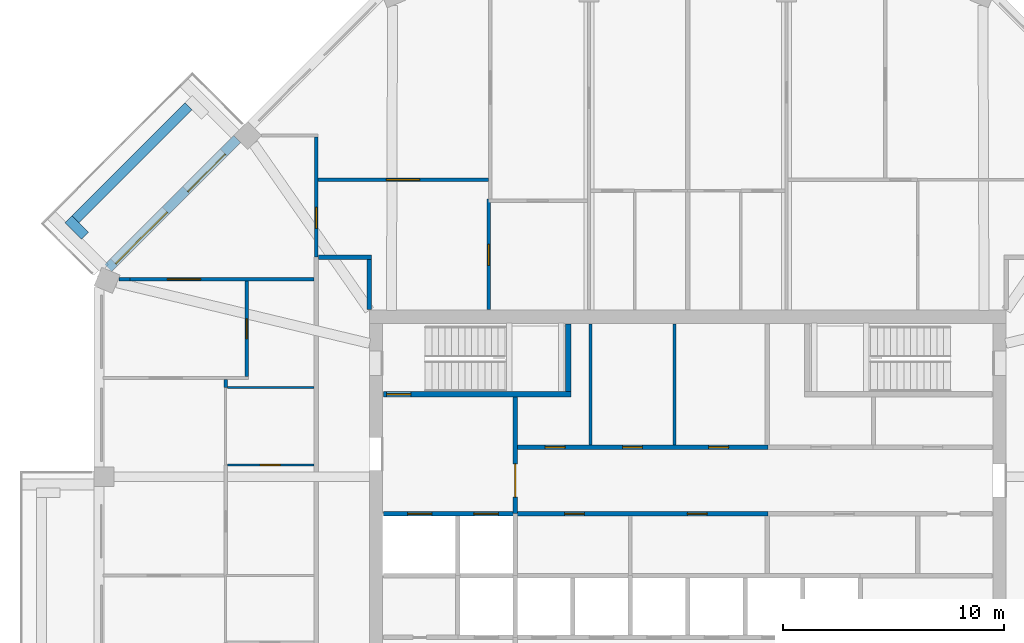
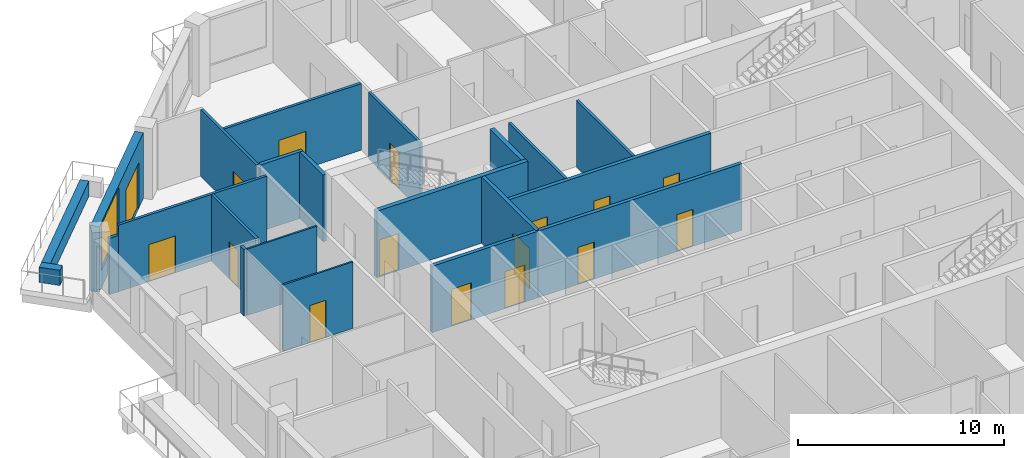
# One storey, part 7 of 12: 22 walls, 16 doors, 1 window, 17 openings.
"""IFC4 building model written with IfcOpenShell, lengths in metres."""

import ifcopenshell
import ifcopenshell.guid

model = None  # the IFC model being written
_history = None  # IfcOwnerHistory: only IFC2X3 demands one
_inside = {}  # id of a spatial element -> (the spatial element, [elements in it])
_under = {}  # id of a project, library or spatial element -> (it, [spatial elements below it])
_declared = {}  # id of a project -> (the project, [libraries it declares])
_typed = {}  # id of a type object -> (the type object, [elements of that type])
_made_of = {}  # id of a material, layer set ... -> (it, [elements and type objects made of it])


def new_model(schema):
    """Start an empty IFC model of exactly this schema.

    Asked for "IFC4X3", IfcOpenShell would pick the latest addendum, in which some entities
    have other attributes; the version numbers below select the first issue.
    IFC2X3 requires an IfcOwnerHistory on every rooted entity: one is made here for all.
    """
    global model, _history
    if schema == "IFC4X3":
        model = ifcopenshell.file(schema_version=(4, 3, 0, 0))
    else:
        model = ifcopenshell.file(schema=schema)
    _inside.clear()
    _under.clear()
    _declared.clear()
    _typed.clear()
    _made_of.clear()
    _history = None
    if model.schema == "IFC2X3":
        org = make("IfcOrganization", Name="unknown")
        user = make(
            "IfcPersonAndOrganization",
            ThePerson=make("IfcPerson", FamilyName="unknown"),
            TheOrganization=org,
        )
        app = make(
            "IfcApplication",
            ApplicationDeveloper=org,
            Version="unknown",
            ApplicationFullName="unknown",
            ApplicationIdentifier="unknown",
        )
        _history = make(
            "IfcOwnerHistory",
            OwningUser=user,
            OwningApplication=app,
            ChangeAction="ADDED",
            CreationDate=0,
        )
    return model


def make(cls, **values):
    """One entity of the class cls with the attributes given. An attribute that is None is left unset."""
    return model.create_entity(
        cls, **{name: value for name, value in values.items() if value is not None}
    )


def rooted(cls, **values):
    """An entity with a GlobalId (a new one), such as an element, a storey or a relation."""
    return make(cls, GlobalId=ifcopenshell.guid.new(), OwnerHistory=_history, **values)


def si_unit(unit_type, name, prefix=None):
    """IfcSIUnit, for example si_unit("LENGTHUNIT", "METRE", prefix="MILLI")."""
    return make("IfcSIUnit", UnitType=unit_type, Prefix=prefix, Name=name)


def assignment(units):
    """IfcUnitAssignment: the units of a project."""
    return None if units is None else make("IfcUnitAssignment", Units=units)


def point(xyz):
    """IfcCartesianPoint."""
    return None if xyz is None else make("IfcCartesianPoint", Coordinates=xyz)


def direction(xyz):
    """IfcDirection."""
    return None if xyz is None else make("IfcDirection", DirectionRatios=xyz)


def frame(location, z_axis=None, x_axis=None):
    """IfcAxis2Placement3D, a coordinate frame: its origin and axes. An axis left out is left unset."""
    return make(
        "IfcAxis2Placement3D",
        Location=point(location),
        Axis=direction(z_axis),
        RefDirection=direction(x_axis),
    )


def frame_2d(location, x_axis=None):
    """IfcAxis2Placement2D, a coordinate frame in the plane: its origin and x axis."""
    return make(
        "IfcAxis2Placement2D", Location=point(location), RefDirection=direction(x_axis)
    )


def origin():
    """The frame at (0, 0, 0) with its axes left unset."""
    return frame((0.0, 0.0, 0.0))


def place(relative_to, where):
    """IfcLocalPlacement: puts the frame where relative to a parent placement (None: the world)."""
    return make(
        "IfcLocalPlacement", PlacementRelTo=relative_to, RelativePlacement=where
    )


def context(
    kind, dimensions, precision=None, world=None, true_north=None, identifier=None
):
    """IfcGeometricRepresentationContext, for example the 3D "Model" context."""
    return make(
        "IfcGeometricRepresentationContext",
        ContextIdentifier=identifier,
        ContextType=kind,
        CoordinateSpaceDimension=dimensions,
        Precision=precision,
        WorldCoordinateSystem=world,
        TrueNorth=true_north,
    )


def subcontext(parent, identifier, kind, view, scale=None):
    """IfcGeometricRepresentationSubContext, for example "Body" below "Model"."""
    return make(
        "IfcGeometricRepresentationSubContext",
        ContextIdentifier=identifier,
        ContextType=kind,
        ParentContext=parent,
        TargetScale=scale,
        TargetView=view,
    )


def project(units=None, contexts=None):
    """IfcProject with its units and contexts."""
    return rooted(
        "IfcProject",
        Name="project",
        RepresentationContexts=contexts,
        UnitsInContext=assignment(units),
    )


def spatial(cls, under=None, at=None, **own):
    """A site, building, storey or space (cls), placed at a placement, below another one or the project."""
    s = rooted(cls, ObjectPlacement=at, **own)
    if under is not None:
        _under.setdefault(under.id(), (under, []))[1].append(s)
    return s


def profile(cls, at=None, kind="AREA", **sizes):
    """A parametric profile (cls). Its sizes go by their IFC names, for example OverallWidth=200.0."""
    return make(cls, ProfileType=kind, Position=at, **sizes)


def rectangle(**sizes):
    """IfcRectangleProfileDef."""
    return profile("IfcRectangleProfileDef", **sizes)


def extrude(swept, where, along, depth):
    """IfcExtrudedAreaSolid: the profile swept, set in the frame where, extruded along a direction by depth."""
    return make(
        "IfcExtrudedAreaSolid",
        SweptArea=swept,
        Position=where,
        ExtrudedDirection=direction(along),
        Depth=depth,
    )


def shape(context_of_items, identifier, shape_type, items):
    """IfcShapeRepresentation: the items that make up one representation, for example the "Body"."""
    return make(
        "IfcShapeRepresentation",
        ContextOfItems=context_of_items,
        RepresentationIdentifier=identifier,
        RepresentationType=shape_type,
        Items=items,
    )


def material(Name=None, Category=None):
    """IfcMaterial."""
    return make("IfcMaterial", Name=Name, Category=Category)


def layer(
    of_material, thickness, ventilated=None, Name=None, Category=None, Priority=None
):
    """IfcMaterialLayer: one layer of a wall or slab, of a material (None: an air gap)."""
    return make(
        "IfcMaterialLayer",
        Material=of_material,
        LayerThickness=thickness,
        IsVentilated=ventilated,
        Name=Name,
        Category=Category,
        Priority=Priority,
    )


def layer_set(layers, Name=None):
    """IfcMaterialLayerSet."""
    return make("IfcMaterialLayerSet", MaterialLayers=layers, LayerSetName=Name)


def made_of(thing, what):
    """Note that an element or type object is made of a material, layer set ...; save() writes the relation."""
    if what is not None:
        _made_of.setdefault(what.id(), (what, []))[1].append(thing)
    return thing


def type_object(cls, material=None, **own):
    """A type object (cls), such as IfcWallType, which elements share."""
    return made_of(rooted(cls, **own), material)


def element(
    cls,
    number,
    at=None,
    inside=None,
    cuts=None,
    type_object=None,
    material=None,
    context=None,
    identifier="Body",
    shape_type=None,
    held_by="IfcProductDefinitionShape",
    body=None,
    shapes=None,
    **own,
):
    """One element of the class cls, such as IfcWall. Its Tag is "e" and its number.

    at: its placement. inside: the storey or other place that contains it. cuts: it is an
    opening in that element (IfcRelVoidsElement). A single representation is given by context,
    identifier, shape_type and body (its items); several are given by shapes. held_by: the class
    of the entity that holds the representations. save() writes the other relations.
    """
    e = rooted(cls, Tag="e%d" % number, ObjectPlacement=at, **own)
    if body is not None:
        shapes = [shape(context, identifier, shape_type, body)]
    if shapes is not None:
        e.Representation = make(held_by, Representations=shapes)
    if inside is not None:
        _inside.setdefault(inside.id(), (inside, []))[1].append(e)
    if cuts is not None:
        rooted(
            "IfcRelVoidsElement", RelatingBuildingElement=cuts, RelatedOpeningElement=e
        )
    if type_object is not None:
        _typed.setdefault(type_object.id(), (type_object, []))[1].append(e)
    return made_of(e, material)


def fill(opening, filler):
    """IfcRelFillsElement: the door or window that sits in an opening."""
    return rooted(
        "IfcRelFillsElement",
        RelatingOpeningElement=opening,
        RelatedBuildingElement=filler,
    )


def aggregate(whole, parts):
    """IfcRelAggregates: a whole, such as a stair, and the parts it consists of."""
    return rooted("IfcRelAggregates", RelatingObject=whole, RelatedObjects=parts)


def save(model, path):
    """Write the relations noted so far, then the file.

    IfcRelAggregates (storeys below a building ...), IfcRelContainedInSpatialStructure (elements
    in a storey), IfcRelDefinesByType, IfcRelAssociatesMaterial and IfcRelDeclares: one each for
    every whole, place, type object, material and project.
    """
    for whole, parts in _under.values():
        aggregate(whole, parts)
    for where, things in _inside.values():
        rooted(
            "IfcRelContainedInSpatialStructure",
            RelatedElements=things,
            RelatingStructure=where,
        )
    for kind, things in _typed.values():
        rooted("IfcRelDefinesByType", RelatedObjects=things, RelatingType=kind)
    for what, things in _made_of.values():
        rooted("IfcRelAssociatesMaterial", RelatedObjects=things, RelatingMaterial=what)
    for by, libraries in _declared.values():
        rooted("IfcRelDeclares", RelatingContext=by, RelatedDefinitions=libraries)
    model.write(path)


model = new_model("IFC4")

# Units and contexts
model_context = context("Model", 3, precision=1e-05, world=origin(), true_north=direction((0.0, 1.0)))
body_context = subcontext(model_context, "Body", "Model", "MODEL_VIEW")
ifc_project = project(units=[si_unit("LENGTHUNIT", "METRE"), si_unit("AREAUNIT", "SQUARE_METRE"), si_unit("VOLUMEUNIT", "CUBIC_METRE"), si_unit("PLANEANGLEUNIT", "RADIAN"), si_unit("MASSUNIT", "GRAM", prefix="KILO")], contexts=[model_context])

# Site, building, storey
site_placement = place(None, origin())
site = spatial("IfcSite", under=ifc_project, at=site_placement, CompositionType="ELEMENT")
building_placement = place(site_placement, origin())
building = spatial("IfcBuilding", under=site, at=building_placement, Name="Msitu Wima Residences", CompositionType="ELEMENT")
storey_placement = place(building_placement, frame((0.0, 0.0, 255.89990234375)))
storey = spatial("IfcBuildingStorey", under=building, at=storey_placement, Name="L59", CompositionType="ELEMENT", Elevation=255.89990234375)

# Walls
ifc_material_1 = material(Name="Facing brick")
ifc_layer_1 = layer(ifc_material_1, 0.06494140625, Name="Facing brick")
ifc_material_2 = material(Name="Concrete C40/50", Category="concrete")
ifc_layer_2 = layer(ifc_material_2, 0.156005859375, Name="Concrete C40/50")
ifc_material_3 = material(Name="Waterproofing membrane")
ifc_layer_3 = layer(ifc_material_3, 0.00390625, Name="Waterproofing membrane")
ifc_material_4 = material(Name="Planting soil and planting")
ifc_layer_4 = layer(ifc_material_4, 0.22509765625, Name="Planting soil and planting")
ifc_layer_set_1 = layer_set([ifc_layer_1, ifc_layer_2, ifc_layer_3, ifc_layer_4], Name="Concrete C40/50")
wall_type_1 = type_object("IfcWallType", Name="Balcony planter PLANTER PL450", PredefinedType="USERDEFINED", material=ifc_layer_set_1)
wall_1_placement = place(storey_placement, frame((-22.572265625, 21.228759765625, 0.0), z_axis=(0.0, 0.0, 1.0), x_axis=(-0.707106781187, -0.707106781187, 0.0)))
element("IfcWall", 1, at=wall_1_placement, inside=storey, type_object=wall_type_1, Name="Balcony planter NW1 L59", ObjectType="PLANTER", PredefinedType="USERDEFINED", context=body_context, shape_type="SweptSolid", body=[
    extrude(rectangle(XDim=7.23828125, YDim=0.449951171875, at=frame_2d((3.619140625, 0.0))), origin(), (0.0, 0.0, 1.0), 0.900146484375),
])
wall_2_placement = place(storey_placement, frame((-27.26611328125, 15.3681640625, 0.0), z_axis=(0.0, 0.0, 1.0), x_axis=(-0.707223014731, 0.706990528533, 0.0)))
element("IfcWall", 2, at=wall_2_placement, inside=storey, type_object=wall_type_1, Name="Balcony planter NW1 L59", ObjectType="PLANTER", PredefinedType="USERDEFINED", context=body_context, shape_type="SweptSolid", body=[
    extrude(rectangle(XDim=1.050048828125, YDim=0.449951171875, at=frame_2d((0.52490234375, 0.0))), origin(), (0.0, 0.0, 1.0), 0.900146484375),
])

# Wall, openings, door, window
ifc_material_5 = material(Name="Brick (red buff mix)", Category="masonry")
ifc_layer_5 = layer(ifc_material_5, 0.449951171875)
ifc_layer_set_2 = layer_set([ifc_layer_5], Name="Brick (red buff mix)")
wall_type_2 = type_object("IfcWallType", Name="Brick infill wall BW450", PredefinedType="SOLIDWALL", material=ifc_layer_set_2)
wall_3_placement = place(storey_placement, frame((-20.380126953125, 19.743896484375, 0.0), z_axis=(0.0, 0.0, 1.0), x_axis=(-0.707106781187, -0.707106781187, 0.0)))
wall_3 = element("IfcWall", 3, at=wall_3_placement, inside=storey, type_object=wall_type_2, Name="Brick infill wall L59 NW1", PredefinedType="SOLIDWALL", context=body_context, shape_type="SweptSolid", body=[
    extrude(rectangle(XDim=8.251220703125, YDim=0.449951171875, at=frame_2d((4.12548828125, 0.0))), origin(), (0.0, 0.0, 1.0), 3.900146484375),
])
opening_1_placement = place(wall_3_placement, frame((0.86279296875, 0.0, 0.0)))
opening_1 = element("IfcOpeningElement", 4, at=opening_1_placement, cuts=wall_3, Name="Opening D57-59.005", PredefinedType="OPENING", context=body_context, shape_type="SweptSolid", body=[
    extrude(rectangle(XDim=2.39990234375, YDim=2.699951171875, at=frame_2d((1.199951171875, 1.35009765625))), frame((0.0, 0.23486328125, 0.0), z_axis=(0.0, -1.0, 0.0), x_axis=(1.0, 0.0, 0.0)), (0.0, 0.0, 1.0), 0.469970703125),
])
opening_2_placement = place(wall_3_placement, frame((4.57568359375, 0.0, 1.050048828125)))
opening_2 = element("IfcOpeningElement", 5, at=opening_2_placement, cuts=wall_3, Name="Opening W57-59.015", PredefinedType="OPENING", context=body_context, shape_type="SweptSolid", body=[
    extrude(rectangle(XDim=3.300048828125, YDim=2.699951171875, at=frame_2d((1.64990234375, 1.35009765625))), frame((0.0, 0.23486328125, 0.0), z_axis=(0.0, -1.0, 0.0), x_axis=(1.0, 0.0, 0.0)), (0.0, 0.0, 1.0), 0.469970703125),
])
ifc_material_6 = material(Name="Anodised aluminium, bronze finish, clear low-emissivity double glazing", Category="aluminium")
door_type_1 = type_object("IfcDoorType", Name="Balcony door D2400x2700", OperationType="SLIDING_TO_LEFT", PredefinedType="DOOR", material=ifc_material_6)
door_1_placement = place(opening_1_placement, origin())
door_1 = element("IfcDoor", 6, at=door_1_placement, inside=storey, type_object=door_type_1, Name="Balcony door L59 NW1", OperationType="SINGLE_SWING_LEFT", OverallHeight=2.699951171875, OverallWidth=2.39990234375, PredefinedType="DOOR", context=body_context, shape_type="SweptSolid", body=[
    extrude(rectangle(XDim=2.39990234375, YDim=2.699951171875, at=frame_2d((1.199951171875, 1.35009765625))), frame((0.0, 0.1298828125, 0.0), z_axis=(0.0, -1.0, 0.0), x_axis=(1.0, 0.0, 0.0)), (0.0, 0.0, 1.0), 0.050048828125),
])
fill(opening_1, door_1)
window_type = type_object("IfcWindowType", Name="Window W3300x2700", PartitioningType="DOUBLE_PANEL_VERTICAL", PredefinedType="WINDOW", material=ifc_material_6)
window_placement = place(opening_2_placement, origin())
window = element("IfcWindow", 7, at=window_placement, inside=storey, type_object=window_type, Name="Window L59 NW1.2", OverallHeight=2.699951171875, OverallWidth=3.300048828125, PartitioningType="SINGLE_PANEL", PredefinedType="WINDOW", context=body_context, shape_type="SweptSolid", body=[
    extrude(rectangle(XDim=3.300048828125, YDim=2.699951171875, at=frame_2d((1.64990234375, 1.35009765625))), frame((0.0, 0.135009765625, 0.0), z_axis=(0.0, -1.0, 0.0), x_axis=(1.0, 0.0, 0.0)), (0.0, 0.0, 1.0), 0.06005859375),
])
fill(opening_2, window)

# Walls
ifc_material_7 = material(Name="Plaster")
ifc_layer_6 = layer(ifc_material_7, 0.011962890625, Name="Plaster")
ifc_material_8 = material(Name="Concrete blockwork", Category="masonry")
ifc_layer_7 = layer(ifc_material_8, 0.176025390625, Name="Concrete blockwork")
ifc_layer_8 = layer(ifc_material_7, 0.011962890625, Name="Plaster")
ifc_layer_set_3 = layer_set([ifc_layer_6, ifc_layer_7, ifc_layer_8], Name="Concrete blockwork")
wall_type_3 = type_object("IfcWallType", Name="Corridor wall FW200", PredefinedType="PARTITIONING", material=ifc_layer_set_3)
wall_4_placement = place(storey_placement, frame((-16.699951171875, 14.39990234375, 0.0), z_axis=(0.0, 0.0, 1.0), x_axis=(1.0, 0.0, 0.0)))
element("IfcWall", 8, at=wall_4_placement, inside=storey, type_object=wall_type_3, Name="Corridor wall", PredefinedType="PARTITIONING", context=body_context, shape_type="SweptSolid", body=[
    extrude(rectangle(XDim=2.39990234375, YDim=0.199951171875, at=frame_2d((1.199951171875, 0.0))), origin(), (0.0, 0.0, 1.0), 3.9501953125),
])
wall_5_placement = place(storey_placement, frame((-14.39990234375, 12.030029296875, 0.0), z_axis=(0.0, 0.0, 1.0), x_axis=(0.0, 1.0, 0.0)))
element("IfcWall", 9, at=wall_5_placement, inside=storey, type_object=wall_type_3, Name="Corridor wall", PredefinedType="PARTITIONING", context=body_context, shape_type="SweptSolid", body=[
    extrude(rectangle(XDim=2.27001953125, YDim=0.199951171875, at=frame_2d((1.135009765625, 0.0))), origin(), (0.0, 0.0, 1.0), 3.9501953125),
])

# Wall, openings, doors
wall_6_placement = place(storey_placement, frame((-7.820068359375, 2.800048828125, 0.0), z_axis=(0.0, 0.0, 1.0), x_axis=(1.0, 0.0, 0.0)))
wall_6 = element("IfcWall", 10, at=wall_6_placement, inside=storey, type_object=wall_type_3, Name="Corridor wall", PredefinedType="PARTITIONING", context=body_context, shape_type="SweptSolid", body=[
    extrude(rectangle(XDim=11.440185546875, YDim=0.199951171875, at=frame_2d((5.72021484375, 0.0))), origin(), (0.0, 0.0, 1.0), 3.9501953125),
])
opening_3_placement = place(wall_6_placement, frame((2.25, 0.0, 0.0)))
opening_3 = element("IfcOpeningElement", 11, at=opening_3_placement, cuts=wall_6, Name="Opening D57-59.079", PredefinedType="OPENING", context=body_context, shape_type="SweptSolid", body=[
    extrude(rectangle(XDim=0.89990234375, YDim=2.199951171875, at=frame_2d((0.449951171875, 1.10009765625))), frame((0.0, 0.10986328125, 0.0), z_axis=(0.0, -1.0, 0.0), x_axis=(1.0, 0.0, 0.0)), (0.0, 0.0, 1.0), 0.219970703125),
])
opening_4_placement = place(wall_6_placement, frame((7.800048828125, 0.0, 0.0)))
opening_4 = element("IfcOpeningElement", 12, at=opening_4_placement, cuts=wall_6, Name="Opening D57-59.080", PredefinedType="OPENING", context=body_context, shape_type="SweptSolid", body=[
    extrude(rectangle(XDim=0.89990234375, YDim=2.199951171875, at=frame_2d((0.449951171875, 1.10009765625))), frame((0.0, 0.10986328125, 0.0), z_axis=(0.0, -1.0, 0.0), x_axis=(1.0, 0.0, 0.0)), (0.0, 0.0, 1.0), 0.219970703125),
])
ifc_material_9 = material(Name="Timber flush door", Category="wood")
door_type_2 = type_object("IfcDoorType", Name="Service door D05 900x2200", OperationType="SINGLE_SWING_LEFT", PredefinedType="DOOR", material=ifc_material_9)
door_2_placement = place(opening_3_placement, origin())
door_2 = element("IfcDoor", 13, at=door_2_placement, inside=storey, type_object=door_type_2, Name="Service door", OperationType="SINGLE_SWING_LEFT", OverallHeight=2.199951171875, OverallWidth=0.89990234375, PredefinedType="DOOR", context=body_context, shape_type="SweptSolid", body=[
    extrude(rectangle(XDim=0.89990234375, YDim=2.199951171875, at=frame_2d((0.449951171875, 1.10009765625))), frame((0.0, 0.02490234375, 0.0), z_axis=(0.0, -1.0, 0.0), x_axis=(1.0, 0.0, 0.0)), (0.0, 0.0, 1.0), 0.050048828125),
])
fill(opening_3, door_2)
door_3_placement = place(opening_4_placement, origin())
door_3 = element("IfcDoor", 14, at=door_3_placement, inside=storey, type_object=door_type_2, Name="Service door", OperationType="SINGLE_SWING_RIGHT", OverallHeight=2.199951171875, OverallWidth=0.89990234375, PredefinedType="DOOR", context=body_context, shape_type="SweptSolid", body=[
    extrude(rectangle(XDim=0.89990234375, YDim=2.199951171875, at=frame_2d((0.449951171875, 1.10009765625))), frame((0.0, 0.02490234375, 0.0), z_axis=(0.0, -1.0, 0.0), x_axis=(1.0, 0.0, 0.0)), (0.0, 0.0, 1.0), 0.050048828125),
])
fill(opening_4, door_3)

# Wall, opening, door
wall_7_placement = place(storey_placement, frame((-7.800048828125, 2.800048828125, 0.0), z_axis=(0.0, 0.0, 1.0), x_axis=(0.0, 1.0, 0.0)))
wall_7 = element("IfcWall", 15, at=wall_7_placement, inside=storey, type_object=wall_type_3, Name="Corridor wall", PredefinedType="PARTITIONING", context=body_context, shape_type="SweptSolid", body=[
    extrude(rectangle(XDim=5.27490234375, YDim=0.199951171875, at=frame_2d((2.637451171875, 0.0))), origin(), (0.0, 0.0, 1.0), 3.9501953125),
])
opening_5_placement = place(wall_7_placement, frame((0.75, 0.0, 0.0)))
opening_5 = element("IfcOpeningElement", 16, at=opening_5_placement, cuts=wall_7, Name="Opening D57-59.065", PredefinedType="OPENING", context=body_context, shape_type="SweptSolid", body=[
    extrude(rectangle(XDim=1.5, YDim=2.39990234375, at=frame_2d((0.75, 1.199951171875))), frame((0.0, 0.10986328125, 0.0), z_axis=(0.0, -1.0, 0.0), x_axis=(1.0, 0.0, 0.0)), (0.0, 0.0, 1.0), 0.219970703125),
])
ifc_material_10 = material(Name="Steel framed glazed door, fire resisting", Category="steel")
door_type_3 = type_object("IfcDoorType", Name="Lobby door D07 1500x2400", OperationType="DOUBLE_DOOR_SINGLE_SWING", PredefinedType="DOOR", material=ifc_material_10)
door_4_placement = place(opening_5_placement, origin())
door_4 = element("IfcDoor", 17, at=door_4_placement, inside=storey, type_object=door_type_3, Name="Lobby door", OperationType="DOUBLE_DOOR_SINGLE_SWING", OverallHeight=2.39990234375, OverallWidth=1.5, PredefinedType="DOOR", context=body_context, shape_type="SweptSolid", body=[
    extrude(rectangle(XDim=1.5, YDim=2.39990234375, at=frame_2d((0.75, 1.199951171875))), frame((0.0, 0.02490234375, 0.0), z_axis=(0.0, -1.0, 0.0), x_axis=(1.0, 0.0, 0.0)), (0.0, 0.0, 1.0), 0.050048828125),
])
fill(opening_5, door_4)

# Wall, openings, doors
wall_8_placement = place(storey_placement, frame((-7.699951171875, 5.800048828125, 0.0), z_axis=(0.0, 0.0, 1.0), x_axis=(1.0, 0.0, 0.0)))
wall_8 = element("IfcWall", 18, at=wall_8_placement, inside=storey, type_object=wall_type_3, Name="Corridor wall", PredefinedType="PARTITIONING", context=body_context, shape_type="SweptSolid", body=[
    extrude(rectangle(XDim=11.320068359375, YDim=0.199951171875, at=frame_2d((5.66015625, 0.0))), origin(), (0.0, 0.0, 1.0), 3.9501953125),
])
opening_6_placement = place(wall_8_placement, frame((1.25, 0.0, 0.0)))
opening_6 = element("IfcOpeningElement", 19, at=opening_6_placement, cuts=wall_8, Name="Opening D57-59.068", PredefinedType="OPENING", context=body_context, shape_type="SweptSolid", body=[
    extrude(rectangle(XDim=0.89990234375, YDim=2.199951171875, at=frame_2d((0.449951171875, 1.10009765625))), frame((0.0, 0.10986328125, 0.0), z_axis=(0.0, -1.0, 0.0), x_axis=(1.0, 0.0, 0.0)), (0.0, 0.0, 1.0), 0.219970703125),
])
opening_7_placement = place(wall_8_placement, frame((4.75, 0.0, 0.0)))
opening_7 = element("IfcOpeningElement", 20, at=opening_7_placement, cuts=wall_8, Name="Opening D57-59.069", PredefinedType="OPENING", context=body_context, shape_type="SweptSolid", body=[
    extrude(rectangle(XDim=0.89990234375, YDim=2.199951171875, at=frame_2d((0.449951171875, 1.10009765625))), frame((0.0, 0.10986328125, 0.0), z_axis=(0.0, -1.0, 0.0), x_axis=(1.0, 0.0, 0.0)), (0.0, 0.0, 1.0), 0.219970703125),
])
opening_8_placement = place(wall_8_placement, frame((8.64990234375, 0.0, 0.0)))
opening_8 = element("IfcOpeningElement", 21, at=opening_8_placement, cuts=wall_8, Name="Opening D57-59.070", PredefinedType="OPENING", context=body_context, shape_type="SweptSolid", body=[
    extrude(rectangle(XDim=0.89990234375, YDim=2.199951171875, at=frame_2d((0.449951171875, 1.10009765625))), frame((0.0, 0.10986328125, 0.0), z_axis=(0.0, -1.0, 0.0), x_axis=(1.0, 0.0, 0.0)), (0.0, 0.0, 1.0), 0.219970703125),
])
door_5_placement = place(opening_6_placement, origin())
door_5 = element("IfcDoor", 22, at=door_5_placement, inside=storey, type_object=door_type_2, Name="Service door", OperationType="SINGLE_SWING_RIGHT", OverallHeight=2.199951171875, OverallWidth=0.89990234375, PredefinedType="DOOR", context=body_context, shape_type="SweptSolid", body=[
    extrude(rectangle(XDim=0.89990234375, YDim=2.199951171875, at=frame_2d((0.449951171875, 1.10009765625))), frame((0.0, 0.02490234375, 0.0), z_axis=(0.0, -1.0, 0.0), x_axis=(1.0, 0.0, 0.0)), (0.0, 0.0, 1.0), 0.050048828125),
])
fill(opening_6, door_5)
door_6_placement = place(opening_7_placement, origin())
door_6 = element("IfcDoor", 23, at=door_6_placement, inside=storey, type_object=door_type_2, Name="Service door", OperationType="SINGLE_SWING_LEFT", OverallHeight=2.199951171875, OverallWidth=0.89990234375, PredefinedType="DOOR", context=body_context, shape_type="SweptSolid", body=[
    extrude(rectangle(XDim=0.89990234375, YDim=2.199951171875, at=frame_2d((0.449951171875, 1.10009765625))), frame((0.0, 0.02490234375, 0.0), z_axis=(0.0, -1.0, 0.0), x_axis=(1.0, 0.0, 0.0)), (0.0, 0.0, 1.0), 0.050048828125),
])
fill(opening_7, door_6)
door_7_placement = place(opening_8_placement, origin())
door_7 = element("IfcDoor", 24, at=door_7_placement, inside=storey, type_object=door_type_2, Name="Service door", OperationType="SINGLE_SWING_LEFT", OverallHeight=2.199951171875, OverallWidth=0.89990234375, PredefinedType="DOOR", context=body_context, shape_type="SweptSolid", body=[
    extrude(rectangle(XDim=0.89990234375, YDim=2.199951171875, at=frame_2d((0.449951171875, 1.10009765625))), frame((0.0, 0.02490234375, 0.0), z_axis=(0.0, -1.0, 0.0), x_axis=(1.0, 0.0, 0.0)), (0.0, 0.0, 1.0), 0.050048828125),
])
fill(opening_8, door_7)

# Wall
ifc_layer_9 = layer(ifc_material_7, 0.011962890625, Name="Plaster")
ifc_layer_10 = layer(ifc_material_8, 0.1259765625, Name="Concrete blockwork")
ifc_layer_11 = layer(ifc_material_7, 0.011962890625, Name="Plaster")
ifc_layer_set_4 = layer_set([ifc_layer_9, ifc_layer_10, ifc_layer_11], Name="Concrete blockwork")
wall_type_4 = type_object("IfcWallType", Name="Partition PW150", PredefinedType="PARTITIONING", material=ifc_layer_set_4)
wall_9_placement = place(storey_placement, frame((-25.731201171875, 13.406005859375, 0.0), z_axis=(0.0, 0.0, 1.0), x_axis=(1.0, 0.0, 0.0)))
element("IfcWall", 25, at=wall_9_placement, inside=storey, type_object=wall_type_4, Name="Partition", PredefinedType="PARTITIONING", context=body_context, shape_type="SweptSolid", body=[
    extrude(rectangle(XDim=0.507080078125, YDim=0.14990234375, at=frame_2d((0.25341796875, 0.0))), origin(), (0.0, 0.0, 1.0), 3.35009765625),
])

# Wall, opening, door
wall_10_placement = place(storey_placement, frame((-25.22412109375, 13.406005859375, 0.0), z_axis=(0.0, 0.0, 1.0), x_axis=(1.0, 0.0, 0.0)))
wall_10 = element("IfcWall", 26, at=wall_10_placement, inside=storey, type_object=wall_type_4, Name="Partition", PredefinedType="PARTITIONING", context=body_context, shape_type="SweptSolid", body=[
    extrude(rectangle(XDim=8.32421875, YDim=0.14990234375, at=frame_2d((4.162109375, 0.0))), origin(), (0.0, 0.0, 1.0), 3.9501953125),
])
opening_9_placement = place(wall_10_placement, frame((1.69287109375, 0.0, 0.0)))
opening_9 = element("IfcOpeningElement", 27, at=opening_9_placement, cuts=wall_10, Name="Opening D57-59.048", PredefinedType="OPENING", context=body_context, shape_type="SweptSolid", body=[
    extrude(rectangle(XDim=1.5, YDim=2.199951171875, at=frame_2d((0.75, 1.10009765625))), frame((0.0, 0.0849609375, 0.0), z_axis=(0.0, -1.0, 0.0), x_axis=(1.0, 0.0, 0.0)), (0.0, 0.0, 1.0), 0.169921875),
])
ifc_material_11 = material(Name="Timber double door", Category="wood")
door_type_4 = type_object("IfcDoorType", Name="Double door D04 1500x2200", OperationType="DOUBLE_DOOR_SINGLE_SWING", PredefinedType="DOOR", material=ifc_material_11)
door_8_placement = place(opening_9_placement, origin())
door_8 = element("IfcDoor", 28, at=door_8_placement, inside=storey, type_object=door_type_4, Name="Double door", OperationType="DOUBLE_DOOR_SINGLE_SWING", OverallHeight=2.199951171875, OverallWidth=1.5, PredefinedType="DOOR", context=body_context, shape_type="SweptSolid", body=[
    extrude(rectangle(XDim=1.5, YDim=2.199951171875, at=frame_2d((0.75, 1.10009765625))), frame((0.0, 0.02490234375, 0.0), z_axis=(0.0, -1.0, 0.0), x_axis=(1.0, 0.0, 0.0)), (0.0, 0.0, 1.0), 0.050048828125),
])
fill(opening_9, door_8)

# Wall
wall_11_placement = place(storey_placement, frame((-20.89990234375, 8.5, 0.0), z_axis=(0.0, 0.0, 1.0), x_axis=(0.0, 1.0, 0.0)))
element("IfcWall", 29, at=wall_11_placement, inside=storey, type_object=wall_type_4, Name="Partition", PredefinedType="PARTITIONING", context=body_context, shape_type="SweptSolid", body=[
    extrude(rectangle(XDim=0.3623046875, YDim=0.14990234375, at=frame_2d((0.18115234375, 0.0))), origin(), (0.0, 0.0, 1.0), 3.9501953125),
])

# Wall, opening, door
wall_12_placement = place(storey_placement, frame((-19.949951171875, 9.01220703125, 0.0), z_axis=(0.0, 0.0, 1.0), x_axis=(0.0, 1.0, 0.0)))
wall_12 = element("IfcWall", 30, at=wall_12_placement, inside=storey, type_object=wall_type_4, Name="Partition", PredefinedType="PARTITIONING", context=body_context, shape_type="SweptSolid", body=[
    extrude(rectangle(XDim=4.318603515625, YDim=0.14990234375, at=frame_2d((2.1591796875, 0.0))), origin(), (0.0, 0.0, 1.0), 3.9501953125),
])
opening_10_placement = place(wall_12_placement, frame((1.699951171875, 0.0, 0.0)))
opening_10 = element("IfcOpeningElement", 31, at=opening_10_placement, cuts=wall_12, Name="Opening D57-59.032", PredefinedType="OPENING", context=body_context, shape_type="SweptSolid", body=[
    extrude(rectangle(XDim=0.89990234375, YDim=2.199951171875, at=frame_2d((0.449951171875, 1.10009765625))), frame((0.0, 0.0849609375, 0.0), z_axis=(0.0, -1.0, 0.0), x_axis=(1.0, 0.0, 0.0)), (0.0, 0.0, 1.0), 0.169921875),
])
door_9_placement = place(opening_10_placement, origin())
door_9 = element("IfcDoor", 32, at=door_9_placement, inside=storey, type_object=door_type_2, Name="Service door", OperationType="SINGLE_SWING_LEFT", OverallHeight=2.199951171875, OverallWidth=0.89990234375, PredefinedType="DOOR", context=body_context, shape_type="SweptSolid", body=[
    extrude(rectangle(XDim=0.89990234375, YDim=2.199951171875, at=frame_2d((0.449951171875, 1.10009765625))), frame((0.0, 0.02490234375, 0.0), z_axis=(0.0, -1.0, 0.0), x_axis=(1.0, 0.0, 0.0)), (0.0, 0.0, 1.0), 0.050048828125),
])
fill(opening_10, door_9)

wall_13_placement = place(storey_placement, frame((-16.800048828125, 14.39990234375, 0.0), z_axis=(0.0, 0.0, 1.0), x_axis=(0.0, 1.0, 0.0)))
wall_13 = element("IfcWall", 33, at=wall_13_placement, inside=storey, type_object=wall_type_4, Name="Partition", PredefinedType="PARTITIONING", context=body_context, shape_type="SweptSolid", body=[
    extrude(rectangle(XDim=5.427978515625, YDim=0.14990234375, at=frame_2d((2.7138671875, 0.0))), origin(), (0.0, 0.0, 1.0), 3.9501953125),
])
opening_11_placement = place(wall_13_placement, frame((1.300048828125, 0.0, 0.0)))
opening_11 = element("IfcOpeningElement", 34, at=opening_11_placement, cuts=wall_13, Name="Opening D57-59.028", PredefinedType="OPENING", context=body_context, shape_type="SweptSolid", body=[
    extrude(rectangle(XDim=0.949951171875, YDim=2.199951171875, at=frame_2d((0.47509765625, 1.10009765625))), frame((0.0, 0.0849609375, 0.0), z_axis=(0.0, -1.0, 0.0), x_axis=(1.0, 0.0, 0.0)), (0.0, 0.0, 1.0), 0.169921875),
])
door_type_5 = type_object("IfcDoorType", Name="Room door D12 950x2200", OperationType="SINGLE_SWING_LEFT", PredefinedType="DOOR", material=ifc_material_9)
door_10_placement = place(opening_11_placement, origin())
door_10 = element("IfcDoor", 35, at=door_10_placement, inside=storey, type_object=door_type_5, Name="Room door", OperationType="SINGLE_SWING_LEFT", OverallHeight=2.199951171875, OverallWidth=0.949951171875, PredefinedType="DOOR", context=body_context, shape_type="SweptSolid", body=[
    extrude(rectangle(XDim=0.949951171875, YDim=2.199951171875, at=frame_2d((0.47509765625, 1.10009765625))), frame((0.0, 0.02490234375, 0.0), z_axis=(0.0, -1.0, 0.0), x_axis=(1.0, 0.0, 0.0)), (0.0, 0.0, 1.0), 0.050048828125),
])
fill(opening_11, door_10)

wall_14_placement = place(storey_placement, frame((-16.72509765625, 17.89990234375, 0.0), z_axis=(0.0, 0.0, 1.0), x_axis=(1.0, 0.0, 0.0)))
wall_14 = element("IfcWall", 36, at=wall_14_placement, inside=storey, type_object=wall_type_4, Name="Partition", PredefinedType="PARTITIONING", context=body_context, shape_type="SweptSolid", body=[
    extrude(rectangle(XDim=7.712890625, YDim=0.14990234375, at=frame_2d((3.8564453125, 0.0))), origin(), (0.0, 0.0, 1.0), 3.9501953125),
])
opening_12_placement = place(wall_14_placement, frame((3.10009765625, 0.0, 0.0)))
opening_12 = element("IfcOpeningElement", 37, at=opening_12_placement, cuts=wall_14, Name="Opening D57-59.029", PredefinedType="OPENING", context=body_context, shape_type="SweptSolid", body=[
    extrude(rectangle(XDim=1.5, YDim=2.199951171875, at=frame_2d((0.75, 1.10009765625))), frame((0.0, 0.0849609375, 0.0), z_axis=(0.0, -1.0, 0.0), x_axis=(1.0, 0.0, 0.0)), (0.0, 0.0, 1.0), 0.169921875),
])
door_11_placement = place(opening_12_placement, origin())
door_11 = element("IfcDoor", 38, at=door_11_placement, inside=storey, type_object=door_type_4, Name="Double door", OperationType="DOUBLE_DOOR_SINGLE_SWING", OverallHeight=2.199951171875, OverallWidth=1.5, PredefinedType="DOOR", context=body_context, shape_type="SweptSolid", body=[
    extrude(rectangle(XDim=1.5, YDim=2.199951171875, at=frame_2d((0.75, 1.10009765625))), frame((0.0, 0.02490234375, 0.0), z_axis=(0.0, -1.0, 0.0), x_axis=(1.0, 0.0, 0.0)), (0.0, 0.0, 1.0), 0.050048828125),
])
fill(opening_12, door_11)

wall_15_placement = place(storey_placement, frame((-9.0, 12.030029296875, 0.0), z_axis=(0.0, 0.0, 1.0), x_axis=(0.0, 1.0, 0.0)))
wall_15 = element("IfcWall", 39, at=wall_15_placement, inside=storey, type_object=wall_type_4, Name="Partition", PredefinedType="PARTITIONING", context=body_context, shape_type="SweptSolid", body=[
    extrude(rectangle(XDim=4.994873046875, YDim=0.14990234375, at=frame_2d((2.49755859375, 0.0))), origin(), (0.0, 0.0, 1.0), 3.9501953125),
])
opening_13_placement = place(wall_15_placement, frame((2.0, 0.0, 0.0)))
opening_13 = element("IfcOpeningElement", 40, at=opening_13_placement, cuts=wall_15, Name="Opening D57-59.034", PredefinedType="OPENING", context=body_context, shape_type="SweptSolid", body=[
    extrude(rectangle(XDim=0.949951171875, YDim=2.199951171875, at=frame_2d((0.47509765625, 1.10009765625))), frame((0.0, 0.0849609375, 0.0), z_axis=(0.0, -1.0, 0.0), x_axis=(1.0, 0.0, 0.0)), (0.0, 0.0, 1.0), 0.169921875),
])
door_12_placement = place(opening_13_placement, origin())
door_12 = element("IfcDoor", 41, at=door_12_placement, inside=storey, type_object=door_type_5, Name="Room door", OperationType="SINGLE_SWING_LEFT", OverallHeight=2.199951171875, OverallWidth=0.949951171875, PredefinedType="DOOR", context=body_context, shape_type="SweptSolid", body=[
    extrude(rectangle(XDim=0.949951171875, YDim=2.199951171875, at=frame_2d((0.47509765625, 1.10009765625))), frame((0.0, 0.02490234375, 0.0), z_axis=(0.0, -1.0, 0.0), x_axis=(1.0, 0.0, 0.0)), (0.0, 0.0, 1.0), 0.050048828125),
])
fill(opening_13, door_12)

# Walls
for number, where, z_axis, x_axis, name in (
    (42, (-4.39990234375, 5.89990234375, 0.0), (0.0, 0.0, 1.0), (0.0, 1.0, 0.0), "Partition"),
    (43, (-0.60009765625, 5.89990234375, 0.0), (0.0, 0.0, 1.0), (0.0, 1.0, 0.0), "Partition"),
):
    element("IfcWall", number, at=place(storey_placement, frame(where, z_axis=z_axis, x_axis=x_axis)), inside=storey, type_object=wall_type_4, Name=name, PredefinedType="PARTITIONING", context=body_context, shape_type="SweptSolid", body=[
        extrude(rectangle(XDim=5.47021484375, YDim=0.14990234375, at=frame_2d((2.735107421875, 0.0))), origin(), (0.0, 0.0, 1.0), 3.9501953125),
    ])

# Wall, openings, doors
ifc_material_12 = material(Name="Fire-rated board")
ifc_layer_12 = layer(ifc_material_12, 0.02490234375, Name="Fire-rated board")
ifc_material_13 = material(Name="Light-gauge stud framing with mineral wool")
ifc_layer_13 = layer(ifc_material_13, 0.14990234375, Name="Light-gauge stud framing with mineral wool")
ifc_layer_14 = layer(ifc_material_12, 0.02490234375, Name="Fire-rated board")
ifc_layer_set_5 = layer_set([ifc_layer_12, ifc_layer_13, ifc_layer_14], Name="Light-gauge stud framing with mineral wool")
wall_type_5 = type_object("IfcWallType", Name="Shaft wall SH200", PredefinedType="PARTITIONING", material=ifc_layer_set_5)
wall_16_placement = place(storey_placement, frame((-13.77001953125, 2.800048828125, 0.0), z_axis=(0.0, 0.0, 1.0), x_axis=(1.0, 0.0, 0.0)))
wall_16 = element("IfcWall", 44, at=wall_16_placement, inside=storey, type_object=wall_type_5, Name="Shaft wall", PredefinedType="PARTITIONING", context=body_context, shape_type="SweptSolid", body=[
    extrude(rectangle(XDim=5.949951171875, YDim=0.199951171875, at=frame_2d((2.97509765625, 0.0))), origin(), (0.0, 0.0, 1.0), 3.9501953125),
])
opening_14_placement = place(wall_16_placement, frame((1.10009765625, 0.0, 0.0)))
opening_14 = element("IfcOpeningElement", 45, at=opening_14_placement, cuts=wall_16, Name="Opening LD", PredefinedType="OPENING", context=body_context, shape_type="SweptSolid", body=[
    extrude(rectangle(XDim=1.10009765625, YDim=2.199951171875, at=frame_2d((0.550048828125, 1.10009765625))), frame((0.0, 0.10986328125, 0.0), z_axis=(0.0, -1.0, 0.0), x_axis=(1.0, 0.0, 0.0)), (0.0, 0.0, 1.0), 0.219970703125),
])
opening_15_placement = place(wall_16_placement, frame((4.10009765625, 0.0, 0.0)))
opening_15 = element("IfcOpeningElement", 46, at=opening_15_placement, cuts=wall_16, Name="Opening LD", PredefinedType="OPENING", context=body_context, shape_type="SweptSolid", body=[
    extrude(rectangle(XDim=1.10009765625, YDim=2.199951171875, at=frame_2d((0.550048828125, 1.10009765625))), frame((0.0, 0.10986328125, 0.0), z_axis=(0.0, -1.0, 0.0), x_axis=(1.0, 0.0, 0.0)), (0.0, 0.0, 1.0), 0.219970703125),
])
ifc_material_14 = material(Name="Stainless steel centre-opening landing door, rated", Category="steel")
door_type_6 = type_object("IfcDoorType", Name="Lift landing door LD 1100x2200", OperationType="DOUBLE_DOOR_SLIDING", PredefinedType="DOOR", material=ifc_material_14)
door_13_placement = place(opening_14_placement, origin())
door_13 = element("IfcDoor", 47, at=door_13_placement, inside=storey, type_object=door_type_6, Name="Lift landing door LD1", OperationType="DOUBLE_DOOR_SLIDING", OverallHeight=2.199951171875, OverallWidth=1.10009765625, PredefinedType="DOOR", context=body_context, shape_type="SweptSolid", body=[
    extrude(rectangle(XDim=1.10009765625, YDim=2.199951171875, at=frame_2d((0.550048828125, 1.10009765625))), frame((0.0, 0.02490234375, 0.0), z_axis=(0.0, -1.0, 0.0), x_axis=(1.0, 0.0, 0.0)), (0.0, 0.0, 1.0), 0.050048828125),
])
fill(opening_14, door_13)
door_14_placement = place(opening_15_placement, origin())
door_14 = element("IfcDoor", 48, at=door_14_placement, inside=storey, type_object=door_type_6, Name="Lift landing door LD2", OperationType="DOUBLE_DOOR_SLIDING", OverallHeight=2.199951171875, OverallWidth=1.10009765625, PredefinedType="DOOR", context=body_context, shape_type="SweptSolid", body=[
    extrude(rectangle(XDim=1.10009765625, YDim=2.199951171875, at=frame_2d((0.550048828125, 1.10009765625))), frame((0.0, 0.02490234375, 0.0), z_axis=(0.0, -1.0, 0.0), x_axis=(1.0, 0.0, 0.0)), (0.0, 0.0, 1.0), 0.050048828125),
])
fill(opening_15, door_14)

# Wall, opening, door
ifc_material_15 = material(Name="Concrete C50/60", Category="concrete")
ifc_layer_15 = layer(ifc_material_15, 0.25)
ifc_layer_set_6 = layer_set([ifc_layer_15], Name="Concrete C50/60")
wall_type_6 = type_object("IfcWallType", Name="Stair enclosure wall SW250", PredefinedType="SHEAR", material=ifc_layer_set_6)
wall_17_placement = place(storey_placement, frame((-13.77001953125, 8.199951171875, 0.0), z_axis=(0.0, 0.0, 1.0), x_axis=(1.0, 0.0, 0.0)))
wall_17 = element("IfcWall", 49, at=wall_17_placement, inside=storey, type_object=wall_type_6, Name="Stair enclosure wall", PredefinedType="SHEAR", context=body_context, shape_type="SweptSolid", body=[
    extrude(rectangle(XDim=8.4951171875, YDim=0.25, at=frame_2d((4.24755859375, 0.0))), origin(), (0.0, 0.0, 1.0), 3.9501953125),
])
opening_16_placement = place(wall_17_placement, frame((0.14990234375, 0.0, 0.0)))
opening_16 = element("IfcOpeningElement", 50, at=opening_16_placement, cuts=wall_17, Name="Opening D57-59.085", PredefinedType="OPENING", context=body_context, shape_type="SweptSolid", body=[
    extrude(rectangle(XDim=1.10009765625, YDim=2.199951171875, at=frame_2d((0.550048828125, 1.10009765625))), frame((0.0, 0.135009765625, 0.0), z_axis=(0.0, -1.0, 0.0), x_axis=(1.0, 0.0, 0.0)), (0.0, 0.0, 1.0), 0.27001953125),
])
ifc_material_16 = material(Name="Steel door, fire resisting, panic bar", Category="steel")
door_type_7 = type_object("IfcDoorType", Name="Stair door D06 1100x2200", OperationType="SINGLE_SWING_LEFT", PredefinedType="DOOR", material=ifc_material_16)
door_15_placement = place(opening_16_placement, origin())
door_15 = element("IfcDoor", 51, at=door_15_placement, inside=storey, type_object=door_type_7, Name="Stair door", OperationType="SINGLE_SWING_LEFT", OverallHeight=2.199951171875, OverallWidth=1.10009765625, PredefinedType="DOOR", context=body_context, shape_type="SweptSolid", body=[
    extrude(rectangle(XDim=1.10009765625, YDim=2.199951171875, at=frame_2d((0.550048828125, 1.10009765625))), frame((0.0, 0.02490234375, 0.0), z_axis=(0.0, -1.0, 0.0), x_axis=(1.0, 0.0, 0.0)), (0.0, 0.0, 1.0), 0.050048828125),
])
fill(opening_16, door_15)

# Wall
wall_18_placement = place(storey_placement, frame((-5.39990234375, 8.324951171875, 0.0), z_axis=(0.0, 0.0, 1.0), x_axis=(0.0, 1.0, 0.0)))
element("IfcWall", 52, at=wall_18_placement, inside=storey, type_object=wall_type_6, Name="Stair enclosure wall", PredefinedType="SHEAR", context=body_context, shape_type="SweptSolid", body=[
    extrude(rectangle(XDim=3.045166015625, YDim=0.25, at=frame_2d((1.5224609375, 0.0))), origin(), (0.0, 0.0, 1.0), 3.9501953125),
])

# Wall, opening, door
ifc_material_17 = material(Name="Ceramic tiles")
ifc_layer_16 = layer(ifc_material_17, 0.008056640625, Name="Ceramic tiles")
ifc_material_18 = material(Name="Moisture-resistant board")
ifc_layer_17 = layer(ifc_material_18, 0.012451171875, Name="Moisture-resistant board")
ifc_layer_18 = layer(ifc_material_13, 0.06689453125, Name="Light-gauge stud framing with mineral wool")
ifc_layer_19 = layer(ifc_material_18, 0.012451171875, Name="Moisture-resistant board")
ifc_layer_set_7 = layer_set([ifc_layer_16, ifc_layer_17, ifc_layer_18, ifc_layer_19], Name="Light-gauge stud framing with mineral wool")
wall_type_7 = type_object("IfcWallType", Name="Wet wall PW100", PredefinedType="PARTITIONING", material=ifc_layer_set_7)
wall_19_placement = place(storey_placement, frame((-20.824951171875, 5.0, 0.0), z_axis=(0.0, 0.0, 1.0), x_axis=(1.0, 0.0, 0.0)))
wall_19 = element("IfcWall", 53, at=wall_19_placement, inside=storey, type_object=wall_type_7, Name="Wet wall", PredefinedType="PARTITIONING", context=body_context, shape_type="SweptSolid", body=[
    extrude(rectangle(XDim=3.925048828125, YDim=0.10009765625, at=frame_2d((1.96240234375, 0.0))), origin(), (0.0, 0.0, 1.0), 3.9501953125),
])
opening_17_placement = place(wall_19_placement, frame((1.5, 0.0, 0.0)))
opening_17 = element("IfcOpeningElement", 54, at=opening_17_placement, cuts=wall_19, Name="Opening D57-59.031", PredefinedType="OPENING", context=body_context, shape_type="SweptSolid", body=[
    extrude(rectangle(XDim=0.89990234375, YDim=2.199951171875, at=frame_2d((0.449951171875, 1.10009765625))), frame((0.0, 0.06005859375, 0.0), z_axis=(0.0, -1.0, 0.0), x_axis=(1.0, 0.0, 0.0)), (0.0, 0.0, 1.0), 0.1201171875),
])
door_16_placement = place(opening_17_placement, origin())
door_16 = element("IfcDoor", 55, at=door_16_placement, inside=storey, type_object=door_type_2, Name="Service door", OperationType="SINGLE_SWING_RIGHT", OverallHeight=2.199951171875, OverallWidth=0.89990234375, PredefinedType="DOOR", context=body_context, shape_type="SweptSolid", body=[
    extrude(rectangle(XDim=0.89990234375, YDim=2.199951171875, at=frame_2d((0.449951171875, 1.10009765625))), frame((0.0, 0.02490234375, 0.0), z_axis=(0.0, -1.0, 0.0), x_axis=(1.0, 0.0, 0.0)), (0.0, 0.0, 1.0), 0.050048828125),
])
fill(opening_17, door_16)

# Wall
wall_20_placement = place(storey_placement, frame((-20.824951171875, 8.5, 0.0), z_axis=(0.0, 0.0, 1.0), x_axis=(1.0, 0.0, 0.0)))
element("IfcWall", 56, at=wall_20_placement, inside=storey, type_object=wall_type_7, Name="Wet wall", PredefinedType="PARTITIONING", context=body_context, shape_type="SweptSolid", body=[
    extrude(rectangle(XDim=3.925048828125, YDim=0.10009765625, at=frame_2d((1.96240234375, 0.0))), origin(), (0.0, 0.0, 1.0), 3.9501953125),
])

save(model, "model.ifc")
